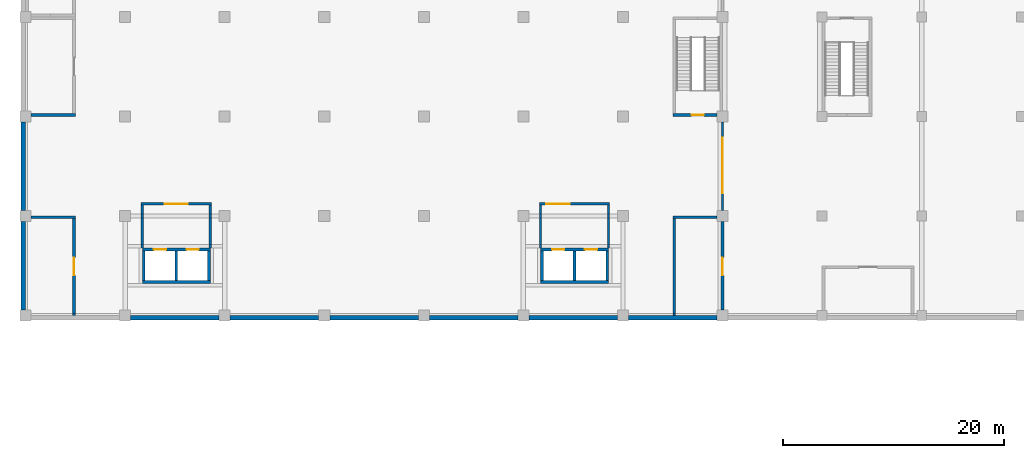
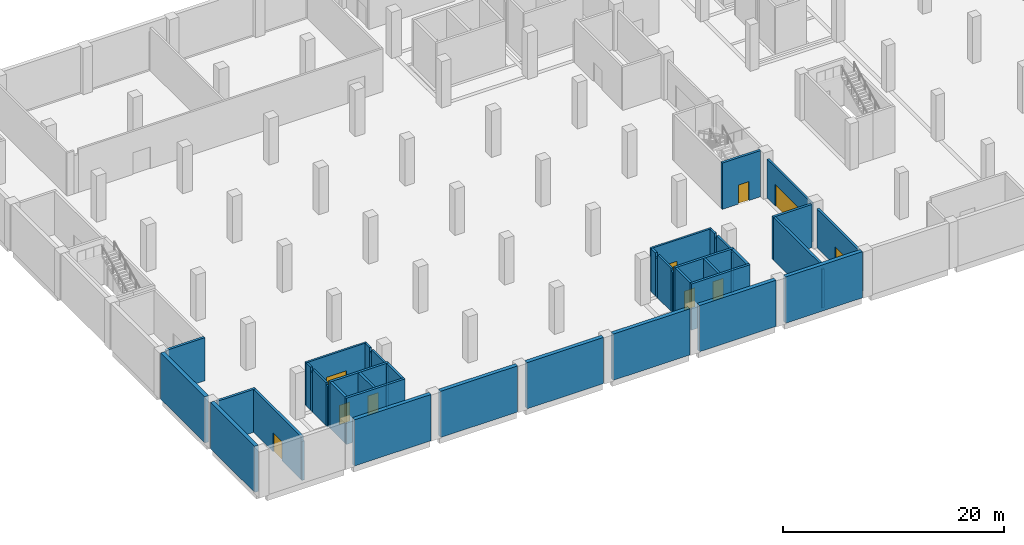
# One storey, part 3 of 16: 46 walls, 10 doors, 10 openings.
"""IFC4 building model written with IfcOpenShell, lengths in metres."""

from ifc_helpers import new_model, si_unit, direction, frame, frame_2d, origin, place, context, subcontext, project, spatial, rectangle, extrude, material, layer, layer_set, type_object, element, fill, save


model = new_model("IFC4")

# Units and contexts
model_context = context("Model", 3, precision=1e-05, world=origin(), true_north=direction((0.0, 1.0)))
body_context = subcontext(model_context, "Body", "Model", "MODEL_VIEW")
ifc_project = project(units=[si_unit("LENGTHUNIT", "METRE"), si_unit("AREAUNIT", "SQUARE_METRE"), si_unit("VOLUMEUNIT", "CUBIC_METRE"), si_unit("PLANEANGLEUNIT", "RADIAN"), si_unit("MASSUNIT", "GRAM", prefix="KILO")], contexts=[model_context])

# Site, building, storey
site_placement = place(None, origin())
site = spatial("IfcSite", under=ifc_project, at=site_placement, CompositionType="ELEMENT")
building_placement = place(site_placement, origin())
building = spatial("IfcBuilding", under=site, at=building_placement, Name="Guidao Yard Department Store", CompositionType="ELEMENT")
storey_placement = place(building_placement, frame((0.0, 0.0, -5.10009765625)))
storey = spatial("IfcBuildingStorey", under=building, at=storey_placement, Name="B1", CompositionType="ELEMENT", Elevation=-5.10009765625)

# Wall, opening, door
ifc_material_1 = material(Name="Autoclaved aerated concrete block A3.5 B06", Category="concrete")
ifc_layer_1 = layer(ifc_material_1, 0.199951171875)
ifc_layer_set_1 = layer_set([ifc_layer_1], Name="Compartment Fire Wall 200 Autoclaved Block EI 180")
wall_type_1 = type_object("IfcWallType", Name="Compartment Fire Wall 200 Autoclaved Block EI 180", PredefinedType="PARTITIONING", material=ifc_layer_set_1)
wall_1_placement = place(storey_placement, frame((63.0, 54.5, 0.0), z_axis=(0.0, 0.0, 1.0), x_axis=(0.0, 1.0, 0.0)))
wall_1 = element("IfcWall", 1, at=wall_1_placement, inside=storey, type_object=wall_type_1, Name="pt.wall.B1.0050", PredefinedType="PARTITIONING", context=body_context, shape_type="SweptSolid", body=[
    extrude(rectangle(XDim=8.0, YDim=0.199951171875, at=frame_2d((4.0, 0.0))), origin(), (0.0, 0.0, 1.0), 4.300048828125),
])
opening_1_placement = place(wall_1_placement, frame((1.550048828125, 0.0, 0.0)))
opening_1 = element("IfcOpeningElement", 2, at=opening_1_placement, cuts=wall_1, Name="Opening B1-426", PredefinedType="OPENING", context=body_context, shape_type="SweptSolid", body=[
    extrude(rectangle(XDim=5.0, YDim=2.39990234375, at=frame_2d((2.5, 1.199951171875))), frame((0.0, 0.10986328125, 0.0), z_axis=(0.0, -1.0, 0.0), x_axis=(1.0, 0.0, 0.0)), (0.0, 0.0, 1.0), 0.219970703125),
])
ifc_material_2 = material(Name="Steel Q235", Category="steel")
door_type_1 = type_object("IfcDoorType", Name="Fire Shutter 5000 x 2400 FD90", OperationType="ROLLINGUP", PredefinedType="DOOR", material=ifc_material_2)
door_1_placement = place(opening_1_placement, origin())
door_1 = element("IfcDoor", 3, at=door_1_placement, inside=storey, type_object=door_type_1, Name="Door B1-426", OperationType="SINGLE_SWING_LEFT", OverallHeight=2.39990234375, OverallWidth=5.0, PredefinedType="DOOR", context=body_context, shape_type="SweptSolid", body=[
    extrude(rectangle(XDim=5.0, YDim=2.39990234375, at=frame_2d((2.5, 1.199951171875))), frame((0.0, 0.02490234375, 0.0), z_axis=(0.0, -1.0, 0.0), x_axis=(1.0, 0.0, 0.0)), (0.0, 0.0, 1.0), 0.050048828125),
])
fill(opening_1, door_1)

# Walls
ifc_material_3 = material(Name="Concrete C40", Category="concrete")
ifc_layer_2 = layer(ifc_material_3, 0.39990234375)
ifc_layer_set_2 = layer_set([ifc_layer_2], Name="Retaining wall 400 C40")
wall_type_2 = type_object("IfcWallType", Name="Retaining wall 400 C40", PredefinedType="SOLIDWALL", material=ifc_layer_set_2)
for number, where, z_axis, x_axis, name in (
    (4, (9.5, 44.800048828125, 0.0), (0.0, 0.0, 1.0), (1.0, 0.0, 0.0), "Retaining wall B1-019"),
    (5, (18.5, 44.800048828125, 0.0), (0.0, 0.0, 1.0), (1.0, 0.0, 0.0), "Retaining wall B1-020"),
    (6, (27.5, 44.800048828125, 0.0), (0.0, 0.0, 1.0), (1.0, 0.0, 0.0), "Retaining wall B1-021"),
    (7, (36.5, 44.800048828125, 0.0), (0.0, 0.0, 1.0), (1.0, 0.0, 0.0), "Retaining wall B1-022"),
    (8, (45.5, 44.800048828125, 0.0), (0.0, 0.0, 1.0), (1.0, 0.0, 0.0), "Retaining wall B1-023"),
    (9, (54.5, 44.800048828125, 0.0), (0.0, 0.0, 1.0), (1.0, 0.0, 0.0), "Retaining wall B1-024"),
    (10, (-0.199951171875, 45.5, 0.0), (0.0, 0.0, 1.0), (0.0, 1.0, 0.0), "Retaining wall B1-037"),
    (11, (-0.199951171875, 54.5, 0.0), (0.0, 0.0, 1.0), (0.0, 1.0, 0.0), "Retaining wall B1-039"),
):
    element("IfcWall", number, at=place(storey_placement, frame(where, z_axis=z_axis, x_axis=x_axis)), inside=storey, type_object=wall_type_2, Name=name, PredefinedType="SOLIDWALL", context=body_context, shape_type="SweptSolid", body=[
        extrude(rectangle(XDim=8.0, YDim=0.39990234375, at=frame_2d((4.0, 0.0))), origin(), (0.0, 0.0, 1.0), 5.10009765625),
    ])

# Wall, opening, door
ifc_material_4 = material(Name="Autoclaved aerated concrete block A3.5 B06", Category="concrete")
ifc_layer_3 = layer(ifc_material_4, 0.199951171875)
ifc_layer_set_3 = layer_set([ifc_layer_3], Name="Shaft Wall 200 Autoclaved Block EI 120")
wall_type_3 = type_object("IfcWallType", Name="Shaft Wall 200 Autoclaved Block EI 120", PredefinedType="PARTITIONING", material=ifc_layer_set_3)
wall_2_placement = place(storey_placement, frame((10.449951171875, 55.10009765625, 0.0), z_axis=(0.0, 0.0, 1.0), x_axis=(1.0, 0.0, 0.0)))
wall_2 = element("IfcWall", 12, at=wall_2_placement, inside=storey, type_object=wall_type_3, Name="pt.wall.B1.0013", PredefinedType="PARTITIONING", context=body_context, shape_type="SweptSolid", body=[
    extrude(rectangle(XDim=6.35009765625, YDim=0.199951171875, at=frame_2d((3.175048828125, 0.0))), origin(), (0.0, 0.0, 1.0), 4.75),
])
opening_2_placement = place(wall_2_placement, frame((2.125, 0.0, 0.0)))
opening_2 = element("IfcOpeningElement", 13, at=opening_2_placement, cuts=wall_2, Name="Opening B1-419", PredefinedType="OPENING", context=body_context, shape_type="SweptSolid", body=[
    extrude(rectangle(XDim=2.10009765625, YDim=2.39990234375, at=frame_2d((1.050048828125, 1.199951171875))), frame((0.0, 0.10986328125, 0.0), z_axis=(0.0, -1.0, 0.0), x_axis=(1.0, 0.0, 0.0)), (0.0, 0.0, 1.0), 0.219970703125),
])
ifc_material_5 = material(Name="Timber door leaf with Steel Q235 frame", Category="steel")
door_type_2 = type_object("IfcDoorType", Name="Door 2100 x 2400 FD60 Double Leaf", OperationType="DOUBLE_DOOR_SINGLE_SWING", PredefinedType="DOOR", material=ifc_material_5)
door_2_placement = place(opening_2_placement, origin())
door_2 = element("IfcDoor", 14, at=door_2_placement, inside=storey, type_object=door_type_2, Name="Door B1-419", OperationType="DOUBLE_DOOR_SINGLE_SWING", OverallHeight=2.39990234375, OverallWidth=2.10009765625, PredefinedType="DOOR", context=body_context, shape_type="SweptSolid", body=[
    extrude(rectangle(XDim=2.10009765625, YDim=2.39990234375, at=frame_2d((1.050048828125, 1.199951171875))), frame((0.0, 0.02490234375, 0.0), z_axis=(0.0, -1.0, 0.0), x_axis=(1.0, 0.0, 0.0)), (0.0, 0.0, 1.0), 0.050048828125),
])
fill(opening_2, door_2)

wall_3_placement = place(storey_placement, frame((46.449951171875, 55.10009765625, 0.0), z_axis=(0.0, 0.0, 1.0), x_axis=(1.0, 0.0, 0.0)))
wall_3 = element("IfcWall", 15, at=wall_3_placement, inside=storey, type_object=wall_type_3, Name="pt.wall.B1.0014", PredefinedType="PARTITIONING", context=body_context, shape_type="SweptSolid", body=[
    extrude(rectangle(XDim=6.35009765625, YDim=0.199951171875, at=frame_2d((3.175048828125, 0.0))), origin(), (0.0, 0.0, 1.0), 4.75),
])
opening_3_placement = place(wall_3_placement, frame((0.625, 0.0, 0.0)))
opening_3 = element("IfcOpeningElement", 16, at=opening_3_placement, cuts=wall_3, Name="Opening B1-420", PredefinedType="OPENING", context=body_context, shape_type="SweptSolid", body=[
    extrude(rectangle(XDim=2.10009765625, YDim=2.39990234375, at=frame_2d((1.050048828125, 1.199951171875))), frame((0.0, 0.10986328125, 0.0), z_axis=(0.0, -1.0, 0.0), x_axis=(1.0, 0.0, 0.0)), (0.0, 0.0, 1.0), 0.219970703125),
])
door_3_placement = place(opening_3_placement, origin())
door_3 = element("IfcDoor", 17, at=door_3_placement, inside=storey, type_object=door_type_2, Name="Door B1-420", OperationType="DOUBLE_DOOR_SINGLE_SWING", OverallHeight=2.39990234375, OverallWidth=2.10009765625, PredefinedType="DOOR", context=body_context, shape_type="SweptSolid", body=[
    extrude(rectangle(XDim=2.10009765625, YDim=2.39990234375, at=frame_2d((1.050048828125, 1.199951171875))), frame((0.0, 0.02490234375, 0.0), z_axis=(0.0, -1.0, 0.0), x_axis=(1.0, 0.0, 0.0)), (0.0, 0.0, 1.0), 0.050048828125),
])
fill(opening_3, door_3)

# Walls
wall_4_placement = place(storey_placement, frame((10.550048828125, 51.10009765625, 0.0), z_axis=(0.0, 0.0, 1.0), x_axis=(0.0, 1.0, 0.0)))
element("IfcWall", 18, at=wall_4_placement, inside=storey, type_object=wall_type_3, Name="pt.wall.B1.0036", PredefinedType="PARTITIONING", context=body_context, shape_type="SweptSolid", body=[
    extrude(rectangle(XDim=0.2998046875, YDim=0.199951171875, at=frame_2d((0.14990234375, 0.0))), origin(), (0.0, 0.0, 1.0), 4.5),
])
wall_5_placement = place(storey_placement, frame((10.550048828125, 51.39990234375, 0.0), z_axis=(0.0, 0.0, 1.0), x_axis=(0.0, 1.0, 0.0)))
element("IfcWall", 19, at=wall_5_placement, inside=storey, type_object=wall_type_3, Name="pt.wall.B1.0036a", PredefinedType="PARTITIONING", context=body_context, shape_type="SweptSolid", body=[
    extrude(rectangle(XDim=2.400146484375, YDim=0.199951171875, at=frame_2d((1.2001953125, 0.0))), origin(), (0.0, 0.0, 1.0), 4.75),
])
wall_6_placement = place(storey_placement, frame((10.550048828125, 53.800048828125, 0.0), z_axis=(0.0, 0.0, 1.0), x_axis=(0.0, 1.0, 0.0)))
element("IfcWall", 20, at=wall_6_placement, inside=storey, type_object=wall_type_3, Name="pt.wall.B1.0036b", PredefinedType="PARTITIONING", context=body_context, shape_type="SweptSolid", body=[
    extrude(rectangle(XDim=0.39990234375, YDim=0.199951171875, at=frame_2d((0.199951171875, 0.0))), origin(), (0.0, 0.0, 1.0), 4.300048828125),
])
wall_7_placement = place(storey_placement, frame((10.550048828125, 54.199951171875, 0.0), z_axis=(0.0, 0.0, 1.0), x_axis=(0.0, 1.0, 0.0)))
element("IfcWall", 21, at=wall_7_placement, inside=storey, type_object=wall_type_3, Name="pt.wall.B1.0036c", PredefinedType="PARTITIONING", context=body_context, shape_type="SweptSolid", body=[
    extrude(rectangle(XDim=0.800048828125, YDim=0.199951171875, at=frame_2d((0.39990234375, 0.0))), origin(), (0.0, 0.0, 1.0), 4.75),
])
wall_8_placement = place(storey_placement, frame((16.699951171875, 51.10009765625, 0.0), z_axis=(0.0, 0.0, 1.0), x_axis=(0.0, 1.0, 0.0)))
element("IfcWall", 22, at=wall_8_placement, inside=storey, type_object=wall_type_3, Name="pt.wall.B1.0037", PredefinedType="PARTITIONING", context=body_context, shape_type="SweptSolid", body=[
    extrude(rectangle(XDim=0.2998046875, YDim=0.199951171875, at=frame_2d((0.14990234375, 0.0))), origin(), (0.0, 0.0, 1.0), 4.5),
])
wall_9_placement = place(storey_placement, frame((16.699951171875, 51.39990234375, 0.0), z_axis=(0.0, 0.0, 1.0), x_axis=(0.0, 1.0, 0.0)))
element("IfcWall", 23, at=wall_9_placement, inside=storey, type_object=wall_type_3, Name="pt.wall.B1.0037a", PredefinedType="PARTITIONING", context=body_context, shape_type="SweptSolid", body=[
    extrude(rectangle(XDim=2.400146484375, YDim=0.199951171875, at=frame_2d((1.2001953125, 0.0))), origin(), (0.0, 0.0, 1.0), 4.75),
])
wall_10_placement = place(storey_placement, frame((16.699951171875, 53.800048828125, 0.0), z_axis=(0.0, 0.0, 1.0), x_axis=(0.0, 1.0, 0.0)))
element("IfcWall", 24, at=wall_10_placement, inside=storey, type_object=wall_type_3, Name="pt.wall.B1.0037b", PredefinedType="PARTITIONING", context=body_context, shape_type="SweptSolid", body=[
    extrude(rectangle(XDim=0.39990234375, YDim=0.199951171875, at=frame_2d((0.199951171875, 0.0))), origin(), (0.0, 0.0, 1.0), 4.300048828125),
])
wall_11_placement = place(storey_placement, frame((16.699951171875, 54.199951171875, 0.0), z_axis=(0.0, 0.0, 1.0), x_axis=(0.0, 1.0, 0.0)))
element("IfcWall", 25, at=wall_11_placement, inside=storey, type_object=wall_type_3, Name="pt.wall.B1.0037c", PredefinedType="PARTITIONING", context=body_context, shape_type="SweptSolid", body=[
    extrude(rectangle(XDim=0.800048828125, YDim=0.199951171875, at=frame_2d((0.39990234375, 0.0))), origin(), (0.0, 0.0, 1.0), 4.75),
])
wall_12_placement = place(storey_placement, frame((46.550048828125, 51.10009765625, 0.0), z_axis=(0.0, 0.0, 1.0), x_axis=(0.0, 1.0, 0.0)))
element("IfcWall", 26, at=wall_12_placement, inside=storey, type_object=wall_type_3, Name="pt.wall.B1.0041", PredefinedType="PARTITIONING", context=body_context, shape_type="SweptSolid", body=[
    extrude(rectangle(XDim=0.2998046875, YDim=0.199951171875, at=frame_2d((0.14990234375, 0.0))), origin(), (0.0, 0.0, 1.0), 4.5),
])
wall_13_placement = place(storey_placement, frame((46.550048828125, 51.39990234375, 0.0), z_axis=(0.0, 0.0, 1.0), x_axis=(0.0, 1.0, 0.0)))
element("IfcWall", 27, at=wall_13_placement, inside=storey, type_object=wall_type_3, Name="pt.wall.B1.0041a", PredefinedType="PARTITIONING", context=body_context, shape_type="SweptSolid", body=[
    extrude(rectangle(XDim=2.400146484375, YDim=0.199951171875, at=frame_2d((1.2001953125, 0.0))), origin(), (0.0, 0.0, 1.0), 4.75),
])
wall_14_placement = place(storey_placement, frame((46.550048828125, 53.800048828125, 0.0), z_axis=(0.0, 0.0, 1.0), x_axis=(0.0, 1.0, 0.0)))
element("IfcWall", 28, at=wall_14_placement, inside=storey, type_object=wall_type_3, Name="pt.wall.B1.0041b", PredefinedType="PARTITIONING", context=body_context, shape_type="SweptSolid", body=[
    extrude(rectangle(XDim=0.39990234375, YDim=0.199951171875, at=frame_2d((0.199951171875, 0.0))), origin(), (0.0, 0.0, 1.0), 4.300048828125),
])
wall_15_placement = place(storey_placement, frame((46.550048828125, 54.199951171875, 0.0), z_axis=(0.0, 0.0, 1.0), x_axis=(0.0, 1.0, 0.0)))
element("IfcWall", 29, at=wall_15_placement, inside=storey, type_object=wall_type_3, Name="pt.wall.B1.0041c", PredefinedType="PARTITIONING", context=body_context, shape_type="SweptSolid", body=[
    extrude(rectangle(XDim=0.800048828125, YDim=0.199951171875, at=frame_2d((0.39990234375, 0.0))), origin(), (0.0, 0.0, 1.0), 4.75),
])
wall_16_placement = place(storey_placement, frame((52.699951171875, 51.10009765625, 0.0), z_axis=(0.0, 0.0, 1.0), x_axis=(0.0, 1.0, 0.0)))
element("IfcWall", 30, at=wall_16_placement, inside=storey, type_object=wall_type_3, Name="pt.wall.B1.0042", PredefinedType="PARTITIONING", context=body_context, shape_type="SweptSolid", body=[
    extrude(rectangle(XDim=0.2998046875, YDim=0.199951171875, at=frame_2d((0.14990234375, 0.0))), origin(), (0.0, 0.0, 1.0), 4.5),
])
wall_17_placement = place(storey_placement, frame((52.699951171875, 51.39990234375, 0.0), z_axis=(0.0, 0.0, 1.0), x_axis=(0.0, 1.0, 0.0)))
element("IfcWall", 31, at=wall_17_placement, inside=storey, type_object=wall_type_3, Name="pt.wall.B1.0042a", PredefinedType="PARTITIONING", context=body_context, shape_type="SweptSolid", body=[
    extrude(rectangle(XDim=2.400146484375, YDim=0.199951171875, at=frame_2d((1.2001953125, 0.0))), origin(), (0.0, 0.0, 1.0), 4.75),
])
wall_18_placement = place(storey_placement, frame((52.699951171875, 53.800048828125, 0.0), z_axis=(0.0, 0.0, 1.0), x_axis=(0.0, 1.0, 0.0)))
element("IfcWall", 32, at=wall_18_placement, inside=storey, type_object=wall_type_3, Name="pt.wall.B1.0042b", PredefinedType="PARTITIONING", context=body_context, shape_type="SweptSolid", body=[
    extrude(rectangle(XDim=0.39990234375, YDim=0.199951171875, at=frame_2d((0.199951171875, 0.0))), origin(), (0.0, 0.0, 1.0), 4.300048828125),
])
wall_19_placement = place(storey_placement, frame((52.699951171875, 54.199951171875, 0.0), z_axis=(0.0, 0.0, 1.0), x_axis=(0.0, 1.0, 0.0)))
element("IfcWall", 33, at=wall_19_placement, inside=storey, type_object=wall_type_3, Name="pt.wall.B1.0042c", PredefinedType="PARTITIONING", context=body_context, shape_type="SweptSolid", body=[
    extrude(rectangle(XDim=0.800048828125, YDim=0.199951171875, at=frame_2d((0.39990234375, 0.0))), origin(), (0.0, 0.0, 1.0), 4.75),
])
ifc_material_6 = material(Name="Concrete C40", Category="concrete")
ifc_layer_4 = layer(ifc_material_6, 0.25)
ifc_layer_set_4 = layer_set([ifc_layer_4], Name="Support Wall 250 Concrete C40")
wall_type_4 = type_object("IfcWallType", Name="Support Wall 250 Concrete C40", PredefinedType="SOLIDWALL", material=ifc_layer_set_4)
for number, where, z_axis, x_axis, name in (
    (34, (0.5, 53.875, 0.0), (0.0, 0.0, 1.0), (1.0, 0.0, 0.0), "pt.wall.B1.0011"),
    (35, (58.5, 53.875, 0.0), (0.0, 0.0, 1.0), (1.0, 0.0, 0.0), "pt.wall.B1.0012"),
    (36, (0.5, 63.125, 0.0), (0.0, 0.0, 1.0), (1.0, 0.0, 0.0), "pt.wall.B1.0015"),
):
    element("IfcWall", number, at=place(storey_placement, frame(where, z_axis=z_axis, x_axis=x_axis)), inside=storey, type_object=wall_type_4, Name=name, PredefinedType="SOLIDWALL", context=body_context, shape_type="SweptSolid", body=[
        extrude(rectangle(XDim=4.0, YDim=0.25, at=frame_2d((2.0, 0.0))), origin(), (0.0, 0.0, 1.0), 4.75),
    ])
wall_20_placement = place(storey_placement, frame((4.375, 45.0, 0.0), z_axis=(0.0, 0.0, 1.0), x_axis=(0.0, 1.0, 0.0)))
element("IfcWall", 37, at=wall_20_placement, inside=storey, type_object=wall_type_4, Name="pt.wall.B1.0031", PredefinedType="SOLIDWALL", context=body_context, shape_type="SweptSolid", body=[
    extrude(rectangle(XDim=0.199951171875, YDim=0.25, at=frame_2d((0.10009765625, 0.0))), origin(), (0.0, 0.0, 1.0), 4.300048828125),
])

# Wall, opening, door
wall_21_placement = place(storey_placement, frame((4.375, 45.199951171875, 0.0), z_axis=(0.0, 0.0, 1.0), x_axis=(0.0, 1.0, 0.0)))
wall_21 = element("IfcWall", 38, at=wall_21_placement, inside=storey, type_object=wall_type_4, Name="pt.wall.B1.0031a", PredefinedType="SOLIDWALL", context=body_context, shape_type="SweptSolid", body=[
    extrude(rectangle(XDim=8.550048828125, YDim=0.25, at=frame_2d((4.27490234375, 0.0))), origin(), (0.0, 0.0, 1.0), 4.75),
])
opening_4_placement = place(wall_21_placement, frame((3.4375, 0.0, 0.0)))
opening_4 = element("IfcOpeningElement", 39, at=opening_4_placement, cuts=wall_21, Name="Opening B1-411", PredefinedType="OPENING", context=body_context, shape_type="SweptSolid", body=[
    extrude(rectangle(XDim=1.60009765625, YDim=2.10009765625, at=frame_2d((0.800048828125, 1.050048828125))), frame((0.0, 0.135009765625, 0.0), z_axis=(0.0, -1.0, 0.0), x_axis=(1.0, 0.0, 0.0)), (0.0, 0.0, 1.0), 0.27001953125),
])
ifc_material_7 = material(Name="Timber door leaf with Steel Q235 frame", Category="steel")
door_type_3 = type_object("IfcDoorType", Name="Door 1600 x 2100 FD60 Double Leaf", OperationType="DOUBLE_DOOR_SINGLE_SWING", PredefinedType="DOOR", material=ifc_material_7)
door_4_placement = place(opening_4_placement, origin())
door_4 = element("IfcDoor", 40, at=door_4_placement, inside=storey, type_object=door_type_3, Name="Door B1-411", OperationType="DOUBLE_DOOR_SINGLE_SWING", OverallHeight=2.10009765625, OverallWidth=1.60009765625, PredefinedType="DOOR", context=body_context, shape_type="SweptSolid", body=[
    extrude(rectangle(XDim=1.60009765625, YDim=2.10009765625, at=frame_2d((0.800048828125, 1.050048828125))), frame((0.0, 0.02490234375, 0.0), z_axis=(0.0, -1.0, 0.0), x_axis=(1.0, 0.0, 0.0)), (0.0, 0.0, 1.0), 0.050048828125),
])
fill(opening_4, door_4)

# Walls
wall_22_placement = place(storey_placement, frame((58.625, 45.0, 0.0), z_axis=(0.0, 0.0, 1.0), x_axis=(0.0, 1.0, 0.0)))
element("IfcWall", 41, at=wall_22_placement, inside=storey, type_object=wall_type_4, Name="pt.wall.B1.0045", PredefinedType="SOLIDWALL", context=body_context, shape_type="SweptSolid", body=[
    extrude(rectangle(XDim=0.199951171875, YDim=0.25, at=frame_2d((0.10009765625, 0.0))), origin(), (0.0, 0.0, 1.0), 4.300048828125),
])
wall_23_placement = place(storey_placement, frame((58.625, 45.199951171875, 0.0), z_axis=(0.0, 0.0, 1.0), x_axis=(0.0, 1.0, 0.0)))
element("IfcWall", 42, at=wall_23_placement, inside=storey, type_object=wall_type_4, Name="pt.wall.B1.0045a", PredefinedType="SOLIDWALL", context=body_context, shape_type="SweptSolid", body=[
    extrude(rectangle(XDim=8.550048828125, YDim=0.25, at=frame_2d((4.27490234375, 0.0))), origin(), (0.0, 0.0, 1.0), 4.75),
])

# Wall, opening, door
wall_24_placement = place(storey_placement, frame((63.0, 45.5, 0.0), z_axis=(0.0, 0.0, 1.0), x_axis=(0.0, 1.0, 0.0)))
wall_24 = element("IfcWall", 43, at=wall_24_placement, inside=storey, type_object=wall_type_4, Name="pt.wall.B1.0049", PredefinedType="SOLIDWALL", context=body_context, shape_type="SweptSolid", body=[
    extrude(rectangle(XDim=8.0, YDim=0.25, at=frame_2d((4.0, 0.0))), origin(), (0.0, 0.0, 1.0), 4.300048828125),
])
opening_5_placement = place(wall_24_placement, frame((3.137451171875, 0.0, 0.0)))
opening_5 = element("IfcOpeningElement", 44, at=opening_5_placement, cuts=wall_24, Name="Opening B1-405", PredefinedType="OPENING", context=body_context, shape_type="SweptSolid", body=[
    extrude(rectangle(XDim=1.60009765625, YDim=2.10009765625, at=frame_2d((0.800048828125, 1.050048828125))), frame((0.0, 0.135009765625, 0.0), z_axis=(0.0, -1.0, 0.0), x_axis=(1.0, 0.0, 0.0)), (0.0, 0.0, 1.0), 0.27001953125),
])
door_5_placement = place(opening_5_placement, origin())
door_5 = element("IfcDoor", 45, at=door_5_placement, inside=storey, type_object=door_type_3, Name="Door B1-405", OperationType="DOUBLE_DOOR_SINGLE_SWING", OverallHeight=2.10009765625, OverallWidth=1.60009765625, PredefinedType="DOOR", context=body_context, shape_type="SweptSolid", body=[
    extrude(rectangle(XDim=1.60009765625, YDim=2.10009765625, at=frame_2d((0.800048828125, 1.050048828125))), frame((0.0, 0.02490234375, 0.0), z_axis=(0.0, -1.0, 0.0), x_axis=(1.0, 0.0, 0.0)), (0.0, 0.0, 1.0), 0.050048828125),
])
fill(opening_5, door_5)

ifc_material_8 = material(Name="Concrete C40", Category="concrete")
ifc_layer_5 = layer(ifc_material_8, 0.25)
ifc_layer_set_5 = layer_set([ifc_layer_5], Name="Wall RC 250 C40 stair and shaft")
wall_type_5 = type_object("IfcWallType", Name="Wall RC 250 C40 stair and shaft", PredefinedType="SHEAR", material=ifc_layer_set_5)
wall_25_placement = place(storey_placement, frame((58.5, 63.125, 0.0), z_axis=(0.0, 0.0, 1.0), x_axis=(1.0, 0.0, 0.0)))
wall_25 = element("IfcWall", 46, at=wall_25_placement, inside=storey, type_object=wall_type_5, Name="Stair wall BSH3", PredefinedType="SHEAR", context=body_context, shape_type="SweptSolid", body=[
    extrude(rectangle(XDim=4.0, YDim=0.25, at=frame_2d((2.0, 0.0))), origin(), (0.0, 0.0, 1.0), 5.10009765625),
])
opening_6_placement = place(wall_25_placement, frame((1.699951171875, 0.0, 0.0)))
opening_6 = element("IfcOpeningElement", 47, at=opening_6_placement, cuts=wall_25, Name="Opening B1-804", PredefinedType="OPENING", context=body_context, shape_type="SweptSolid", body=[
    extrude(rectangle(XDim=1.10009765625, YDim=2.10009765625, at=frame_2d((0.550048828125, 1.050048828125))), frame((0.0, 0.135009765625, 0.0), z_axis=(0.0, -1.0, 0.0), x_axis=(1.0, 0.0, 0.0)), (0.0, 0.0, 1.0), 0.27001953125),
])
ifc_material_9 = material(Name="Steel Q235", Category="steel")
door_type_4 = type_object("IfcDoorType", Name="Door fire-resisting 1100 x 2100 FD60", OperationType="SINGLE_SWING_LEFT", PredefinedType="DOOR", material=ifc_material_9)
door_6_placement = place(opening_6_placement, origin())
door_6 = element("IfcDoor", 48, at=door_6_placement, inside=storey, type_object=door_type_4, Name="Basement stair H3 door B1", OperationType="SINGLE_SWING_RIGHT", OverallHeight=2.10009765625, OverallWidth=1.10009765625, PredefinedType="DOOR", context=body_context, shape_type="SweptSolid", body=[
    extrude(rectangle(XDim=1.10009765625, YDim=2.10009765625, at=frame_2d((0.550048828125, 1.050048828125))), frame((0.0, 0.02490234375, 0.0), z_axis=(0.0, -1.0, 0.0), x_axis=(1.0, 0.0, 0.0)), (0.0, 0.0, 1.0), 0.050048828125),
])
fill(opening_6, door_6)

# Wall, openings, doors
wall_26_placement = place(storey_placement, frame((10.550048828125, 50.97509765625, 0.0), z_axis=(0.0, 0.0, 1.0), x_axis=(1.0, 0.0, 0.0)))
wall_26 = element("IfcWall", 49, at=wall_26_placement, inside=storey, type_object=wall_type_5, Name="Lift shaft wall HL1 to HL2", PredefinedType="SHEAR", context=body_context, shape_type="SweptSolid", body=[
    extrude(rectangle(XDim=6.14990234375, YDim=0.25, at=frame_2d((3.074951171875, 0.0))), origin(), (0.0, 0.0, 1.0), 5.10009765625),
])
opening_7_placement = place(wall_26_placement, frame((1.050048828125, 0.0, 0.0)))
opening_7 = element("IfcOpeningElement", 50, at=opening_7_placement, cuts=wall_26, Name="Opening LD-HL1-B1", PredefinedType="OPENING", context=body_context, shape_type="SweptSolid", body=[
    extrude(rectangle(XDim=1.10009765625, YDim=2.10009765625, at=frame_2d((0.550048828125, 1.050048828125))), frame((0.0, 0.135009765625, 0.0), z_axis=(0.0, -1.0, 0.0), x_axis=(1.0, 0.0, 0.0)), (0.0, 0.0, 1.0), 0.27001953125),
])
opening_8_placement = place(wall_26_placement, frame((4.0, 0.0, 0.0)))
opening_8 = element("IfcOpeningElement", 51, at=opening_8_placement, cuts=wall_26, Name="Opening LD-HL2-B1", PredefinedType="OPENING", context=body_context, shape_type="SweptSolid", body=[
    extrude(rectangle(XDim=1.10009765625, YDim=2.10009765625, at=frame_2d((0.550048828125, 1.050048828125))), frame((0.0, 0.135009765625, 0.0), z_axis=(0.0, -1.0, 0.0), x_axis=(1.0, 0.0, 0.0)), (0.0, 0.0, 1.0), 0.27001953125),
])
ifc_material_10 = material(Name="Stainless steel 06Cr19Ni10", Category="steel")
door_type_5 = type_object("IfcDoorType", Name="Lift landing door fire-resisting sliding 1100 x 2100", OperationType="DOUBLE_DOOR_SLIDING", PredefinedType="DOOR", material=ifc_material_10)
door_7_placement = place(opening_7_placement, origin())
door_7 = element("IfcDoor", 52, at=door_7_placement, inside=storey, type_object=door_type_5, Name="Lift landing door HL1 B1", OperationType="DOUBLE_DOOR_SLIDING", OverallHeight=2.10009765625, OverallWidth=1.10009765625, PredefinedType="DOOR", context=body_context, shape_type="SweptSolid", body=[
    extrude(rectangle(XDim=1.10009765625, YDim=2.10009765625, at=frame_2d((0.550048828125, 1.050048828125))), frame((0.0, 0.02490234375, 0.0), z_axis=(0.0, -1.0, 0.0), x_axis=(1.0, 0.0, 0.0)), (0.0, 0.0, 1.0), 0.050048828125),
])
fill(opening_7, door_7)
door_8_placement = place(opening_8_placement, origin())
door_8 = element("IfcDoor", 53, at=door_8_placement, inside=storey, type_object=door_type_5, Name="Lift landing door HL2 B1", OperationType="DOUBLE_DOOR_SLIDING", OverallHeight=2.10009765625, OverallWidth=1.10009765625, PredefinedType="DOOR", context=body_context, shape_type="SweptSolid", body=[
    extrude(rectangle(XDim=1.10009765625, YDim=2.10009765625, at=frame_2d((0.550048828125, 1.050048828125))), frame((0.0, 0.02490234375, 0.0), z_axis=(0.0, -1.0, 0.0), x_axis=(1.0, 0.0, 0.0)), (0.0, 0.0, 1.0), 0.050048828125),
])
fill(opening_8, door_8)

# Walls
wall_27_placement = place(storey_placement, frame((10.550048828125, 48.02490234375, 0.0), z_axis=(0.0, 0.0, 1.0), x_axis=(1.0, 0.0, 0.0)))
element("IfcWall", 54, at=wall_27_placement, inside=storey, type_object=wall_type_5, Name="Lift shaft wall HL1 to HL2", PredefinedType="SHEAR", context=body_context, shape_type="SweptSolid", body=[
    extrude(rectangle(XDim=6.14990234375, YDim=0.25, at=frame_2d((3.074951171875, 0.0))), origin(), (0.0, 0.0, 1.0), 5.10009765625),
])
for number, where, z_axis, x_axis, name in (
    (55, (10.675048828125, 48.14990234375, 0.0), (0.0, 0.0, 1.0), (0.0, 1.0, 0.0), "Lift shaft wall HL1 to HL2"),
    (56, (13.625, 48.14990234375, 0.0), (0.0, 0.0, 1.0), (0.0, 1.0, 0.0), "Lift shaft wall HL1 to HL2"),
    (57, (16.574951171875, 48.14990234375, 0.0), (0.0, 0.0, 1.0), (0.0, 1.0, 0.0), "Lift shaft wall HL1 to HL2"),
):
    element("IfcWall", number, at=place(storey_placement, frame(where, z_axis=z_axis, x_axis=x_axis)), inside=storey, type_object=wall_type_5, Name=name, PredefinedType="SHEAR", context=body_context, shape_type="SweptSolid", body=[
        extrude(rectangle(XDim=2.7001953125, YDim=0.25, at=frame_2d((1.35009765625, 0.0))), origin(), (0.0, 0.0, 1.0), 5.10009765625),
    ])

# Wall, openings, doors
wall_28_placement = place(storey_placement, frame((46.550048828125, 50.97509765625, 0.0), z_axis=(0.0, 0.0, 1.0), x_axis=(1.0, 0.0, 0.0)))
wall_28 = element("IfcWall", 58, at=wall_28_placement, inside=storey, type_object=wall_type_5, Name="Lift shaft wall HL3 to HL4", PredefinedType="SHEAR", context=body_context, shape_type="SweptSolid", body=[
    extrude(rectangle(XDim=6.14990234375, YDim=0.25, at=frame_2d((3.074951171875, 0.0))), origin(), (0.0, 0.0, 1.0), 5.10009765625),
])
opening_9_placement = place(wall_28_placement, frame((1.050048828125, 0.0, 0.0)))
opening_9 = element("IfcOpeningElement", 59, at=opening_9_placement, cuts=wall_28, Name="Opening LD-HL3-B1", PredefinedType="OPENING", context=body_context, shape_type="SweptSolid", body=[
    extrude(rectangle(XDim=1.10009765625, YDim=2.10009765625, at=frame_2d((0.550048828125, 1.050048828125))), frame((0.0, 0.135009765625, 0.0), z_axis=(0.0, -1.0, 0.0), x_axis=(1.0, 0.0, 0.0)), (0.0, 0.0, 1.0), 0.27001953125),
])
opening_10_placement = place(wall_28_placement, frame((4.0, 0.0, 0.0)))
opening_10 = element("IfcOpeningElement", 60, at=opening_10_placement, cuts=wall_28, Name="Opening LD-HL4-B1", PredefinedType="OPENING", context=body_context, shape_type="SweptSolid", body=[
    extrude(rectangle(XDim=1.10009765625, YDim=2.10009765625, at=frame_2d((0.550048828125, 1.050048828125))), frame((0.0, 0.135009765625, 0.0), z_axis=(0.0, -1.0, 0.0), x_axis=(1.0, 0.0, 0.0)), (0.0, 0.0, 1.0), 0.27001953125),
])
door_9_placement = place(opening_9_placement, origin())
door_9 = element("IfcDoor", 61, at=door_9_placement, inside=storey, type_object=door_type_5, Name="Lift landing door HL3 B1", OperationType="DOUBLE_DOOR_SLIDING", OverallHeight=2.10009765625, OverallWidth=1.10009765625, PredefinedType="DOOR", context=body_context, shape_type="SweptSolid", body=[
    extrude(rectangle(XDim=1.10009765625, YDim=2.10009765625, at=frame_2d((0.550048828125, 1.050048828125))), frame((0.0, 0.02490234375, 0.0), z_axis=(0.0, -1.0, 0.0), x_axis=(1.0, 0.0, 0.0)), (0.0, 0.0, 1.0), 0.050048828125),
])
fill(opening_9, door_9)
door_10_placement = place(opening_10_placement, origin())
door_10 = element("IfcDoor", 62, at=door_10_placement, inside=storey, type_object=door_type_5, Name="Lift landing door HL4 B1", OperationType="DOUBLE_DOOR_SLIDING", OverallHeight=2.10009765625, OverallWidth=1.10009765625, PredefinedType="DOOR", context=body_context, shape_type="SweptSolid", body=[
    extrude(rectangle(XDim=1.10009765625, YDim=2.10009765625, at=frame_2d((0.550048828125, 1.050048828125))), frame((0.0, 0.02490234375, 0.0), z_axis=(0.0, -1.0, 0.0), x_axis=(1.0, 0.0, 0.0)), (0.0, 0.0, 1.0), 0.050048828125),
])
fill(opening_10, door_10)

# Walls
wall_29_placement = place(storey_placement, frame((46.550048828125, 48.02490234375, 0.0), z_axis=(0.0, 0.0, 1.0), x_axis=(1.0, 0.0, 0.0)))
element("IfcWall", 63, at=wall_29_placement, inside=storey, type_object=wall_type_5, Name="Lift shaft wall HL3 to HL4", PredefinedType="SHEAR", context=body_context, shape_type="SweptSolid", body=[
    extrude(rectangle(XDim=6.14990234375, YDim=0.25, at=frame_2d((3.074951171875, 0.0))), origin(), (0.0, 0.0, 1.0), 5.10009765625),
])
for number, where, z_axis, x_axis, name in (
    (64, (46.675048828125, 48.14990234375, 0.0), (0.0, 0.0, 1.0), (0.0, 1.0, 0.0), "Lift shaft wall HL3 to HL4"),
    (65, (49.625, 48.14990234375, 0.0), (0.0, 0.0, 1.0), (0.0, 1.0, 0.0), "Lift shaft wall HL3 to HL4"),
    (66, (52.574951171875, 48.14990234375, 0.0), (0.0, 0.0, 1.0), (0.0, 1.0, 0.0), "Lift shaft wall HL3 to HL4"),
):
    element("IfcWall", number, at=place(storey_placement, frame(where, z_axis=z_axis, x_axis=x_axis)), inside=storey, type_object=wall_type_5, Name=name, PredefinedType="SHEAR", context=body_context, shape_type="SweptSolid", body=[
        extrude(rectangle(XDim=2.7001953125, YDim=0.25, at=frame_2d((1.35009765625, 0.0))), origin(), (0.0, 0.0, 1.0), 5.10009765625),
    ])

save(model, "model.ifc")
